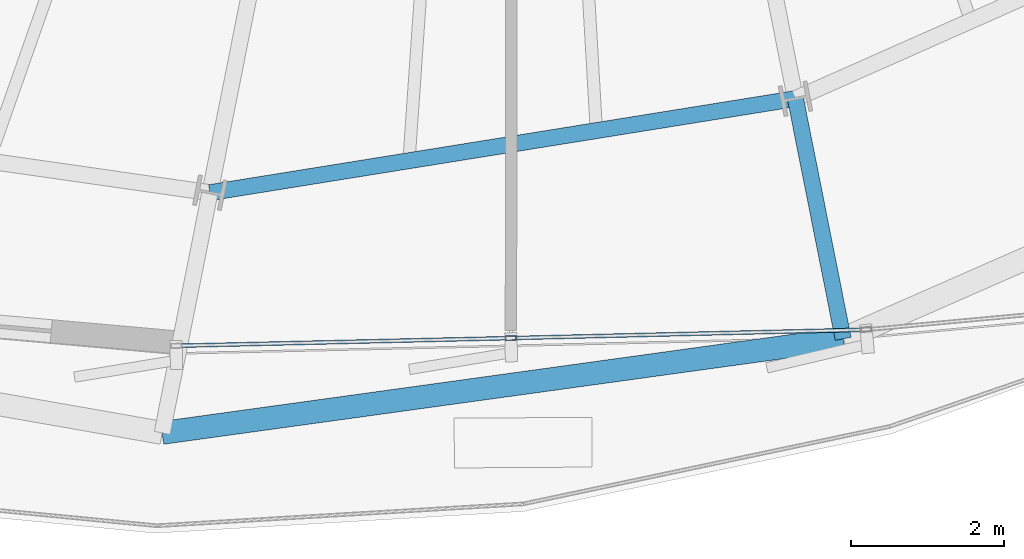
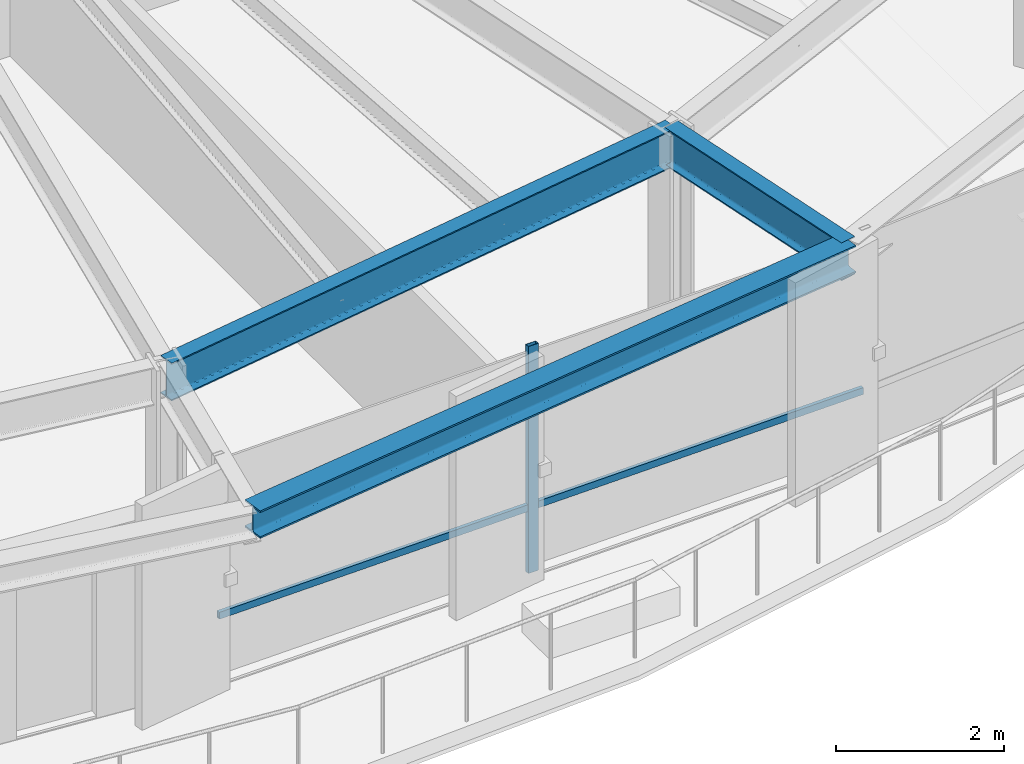
# One storey, part 6 of 37: 3 beams, 3 members, 1 element without a shape of its own.
"""IFC4 building model written with IfcOpenShell, lengths in metres."""

from ifc_helpers import new_model, si_unit, direction, frame, origin, origin_2d, place, context, subcontext, project, spatial, hollow_rectangle, i_section, extrude, source, transform, mapped, material, layer, layer_set, material_profile, profile_set, type_object, element, aggregate, save


model = new_model("IFC4")

# Units and contexts
model_context = context("Model", 3, precision=1e-05, world=origin(), true_north=direction((0.0, 1.0)))
body_context = subcontext(model_context, "Body", "Model", "MODEL_VIEW")
ifc_project = project(units=[si_unit("LENGTHUNIT", "METRE"), si_unit("AREAUNIT", "SQUARE_METRE"), si_unit("VOLUMEUNIT", "CUBIC_METRE"), si_unit("PLANEANGLEUNIT", "RADIAN"), si_unit("MASSUNIT", "GRAM", prefix="KILO"), si_unit("THERMODYNAMICTEMPERATUREUNIT", "KELVIN")], contexts=[model_context])

# Site, building, storey
site_placement = place(None, origin())
site = spatial("IfcSite", under=ifc_project, at=site_placement, CompositionType="ELEMENT")
building_placement = place(site_placement, origin())
building = spatial("IfcBuilding", under=site, at=building_placement, Name="Kethvar Cultural Tower", CompositionType="ELEMENT")
storey_placement = place(building_placement, frame((0.0, 0.0, 132.35009765625)))
storey = spatial("IfcBuildingStorey", under=building, at=storey_placement, Name="L33", CompositionType="ELEMENT", Elevation=132.35009765625)

# Beams
ifc_material_1 = material(Name="Steel S355J2", Category="steel")
ifc_material_profile_1 = material_profile(ifc_material_1, i_section(OverallWidth=0.2099609375, OverallDepth=0.550048828125, WebThickness=0.010986328125, FlangeThickness=0.01708984375, FilletRadius=0.02392578125, at=origin_2d()), Name="Steel S355J2 — IPE550")
ifc_profile_set_1 = profile_set([ifc_material_profile_1], Name="Steel S355J2 — IPE550")
beam_type_1 = type_object("IfcBeamType", Name="BM-IPE550", PredefinedType="BEAM", material=ifc_profile_set_1)
shared_shape_1 = source(origin(), body_context, "Body", "SweptSolid", [
    extrude(i_section(OverallWidth=0.2099609375, OverallDepth=0.550048828125, WebThickness=0.010986328125, FlangeThickness=0.01708984375, FilletRadius=0.02392578125, at=origin_2d()), origin(), (0.0, 0.0, 1.0), 3.2001953125),
])
beam_1_placement = place(storey_placement, frame((50.50341796875, 9.182373046875, 3.02294921875), z_axis=(0.195074368086, -0.980788453702, 0.0), x_axis=(0.980788453702, 0.195074368086, 0.0)))
element("IfcBeam", 1, at=beam_1_placement, inside=storey, type_object=beam_type_1, Name="L33 Perimeter Cantilever Beam RC-13", PredefinedType="BEAM", context=body_context, shape_type="MappedRepresentation", body=[
    mapped(shared_shape_1, transform((0.0, 0.0, 0.0), scale=1.0)),
])
shared_shape_2 = source(origin(), body_context, "Body", "SweptSolid", [
    extrude(i_section(OverallWidth=0.2099609375, OverallDepth=0.550048828125, WebThickness=0.010986328125, FlangeThickness=0.01708984375, FilletRadius=0.02392578125, at=origin_2d()), origin(), (0.0, 0.0, 1.0), 7.749267578125),
])
beam_2_placement = place(storey_placement, frame((42.852294921875, 7.95361328125, 3.02294921875), z_axis=(0.987348257569, 0.158566762831, 0.0), x_axis=(-0.158566762831, 0.987348257569, 0.0)))
element("IfcBeam", 2, at=beam_2_placement, inside=storey, type_object=beam_type_1, Name="L33 Column Ring Tie Beam CR-12", PredefinedType="BEAM", context=body_context, shape_type="MappedRepresentation", body=[
    mapped(shared_shape_2, transform((0.0, 0.0, 0.0), scale=1.0)),
])
ifc_material_profile_2 = material_profile(ifc_material_1, i_section(OverallWidth=0.300048828125, OverallDepth=0.39990234375, WebThickness=0.013427734375, FlangeThickness=0.02392578125, FilletRadius=0.027099609375, at=origin_2d()), Name="Steel S355J2 — HEB400")
ifc_profile_set_2 = profile_set([ifc_material_profile_2], Name="Steel S355J2 — HEB400")
beam_type_2 = type_object("IfcBeamType", Name="BM-SP400", PredefinedType="SPANDREL", material=ifc_profile_set_2)
shared_shape_3 = source(origin(), body_context, "Body", "SweptSolid", [
    extrude(i_section(OverallWidth=0.300048828125, OverallDepth=0.39990234375, WebThickness=0.013427734375, FlangeThickness=0.02392578125, FilletRadius=0.027099609375, at=origin_2d()), origin(), (0.0, 0.0, 1.0), 8.984130859375),
])
beam_3_placement = place(storey_placement, frame((42.22802734375, 4.81494140625, 3.097900390625), z_axis=(0.990602728928, 0.136770733127, 0.0), x_axis=(-0.136770733127, 0.990602728928, 0.0)))
element("IfcBeam", 3, at=beam_3_placement, inside=storey, type_object=beam_type_2, Name="L33 Perimeter Spandrel Beam SP-12", PredefinedType="SPANDREL", context=body_context, shape_type="MappedRepresentation", body=[
    mapped(shared_shape_3, transform((0.0, 0.0, 0.0), scale=1.0)),
])

# Curtain wall, members
ifc_material_2 = material(Name="Aluminium 6063-T6", Category="aluminium")
ifc_layer = layer(ifc_material_2, 0.179931640625, Name="Aluminium 6063-T6", Category="aluminium")
ifc_layer_set = layer_set([ifc_layer], Name="Aluminium 6063-T6 (180 mm)")
curtain_wall_type = type_object("IfcCurtainWallType", Name="CW-SYS-04-Z34", PredefinedType="NOTDEFINED", material=ifc_layer_set)
curtain_wall_placement = place(storey_placement, origin())
curtain_wall = element("IfcCurtainWall", 4, at=curtain_wall_placement, inside=storey, type_object=curtain_wall_type, Name="L33 Curtain Wall Run 05", PredefinedType="NOTDEFINED")
ifc_material_profile_3 = material_profile(ifc_material_2, hollow_rectangle(XDim=0.06005859375, YDim=0.139892578125, WallThickness=0.0048828125, at=origin_2d()), Name="Aluminium 6063-T6 — RHS140x60x5")
ifc_profile_set_3 = profile_set([ifc_material_profile_3], Name="Aluminium 6063-T6 — RHS140x60x5")
member_type_1 = type_object("IfcMemberType", Name="CW-SYS-04-Z34-MUL", PredefinedType="MULLION", material=ifc_profile_set_3)
shared_shape_4 = source(origin(), body_context, "Body", "SweptSolid", [
    extrude(hollow_rectangle(XDim=0.06005859375, YDim=0.139892578125, WallThickness=0.0048828125, at=origin_2d()), origin(), (0.0, 0.0, 1.0), 3.2998046875),
])
member_1_placement = place(storey_placement, frame((46.785888671875, 6.053466796875, 0.0), z_axis=(0.0, 0.0, 1.0), x_axis=(-0.023699352188, 0.999719130909, 0.0)))
member_1 = element("IfcMember", 5, at=member_1_placement, type_object=member_type_1, Name="CW-L33-R05 Mullion 2", PredefinedType="MULLION", context=body_context, shape_type="MappedRepresentation", body=[
    mapped(shared_shape_4, transform((0.0, 0.0, 0.0), scale=1.0)),
])
ifc_material_profile_4 = material_profile(ifc_material_2, hollow_rectangle(XDim=0.050048828125, YDim=0.10009765625, WallThickness=0.00390625, at=origin_2d()), Name="Aluminium 6063-T6 — RHS100x50x4")
ifc_profile_set_4 = profile_set([ifc_material_profile_4], Name="Aluminium 6063-T6 — RHS100x50x4")
member_type_2 = type_object("IfcMemberType", Name="CW-SYS-04-Z34-TRN", PredefinedType="USERDEFINED", material=ifc_profile_set_4)
shared_shape_5 = source(origin(), body_context, "Body", "SweptSolid", [
    extrude(hollow_rectangle(XDim=0.050048828125, YDim=0.10009765625, WallThickness=0.00390625, at=origin_2d()), origin(), (0.0, 0.0, 1.0), 4.32958984375),
])
member_2_placement = place(storey_placement, frame((42.41455078125, 5.952880859375, 0.949951171875), z_axis=(0.999735302775, 0.023007050794, 0.0), x_axis=(-0.023007050794, 0.999735302775, 0.0)))
member_2 = element("IfcMember", 6, at=member_2_placement, type_object=member_type_2, Name="CW-L33-R05 Transom 1", ObjectType="TRANSOM", PredefinedType="USERDEFINED", context=body_context, shape_type="MappedRepresentation", body=[
    mapped(shared_shape_5, transform((0.0, 0.0, 0.0), scale=1.0)),
])
shared_shape_6 = source(origin(), body_context, "Body", "SweptSolid", [
    extrude(hollow_rectangle(XDim=0.050048828125, YDim=0.10009765625, WallThickness=0.00390625, at=origin_2d()), origin(), (0.0, 0.0, 1.0), 4.563232421875),
])
member_3_placement = place(storey_placement, frame((46.8291015625, 6.054443359375, 0.949951171875), z_axis=(0.999719093529, 0.023700928954, 0.0), x_axis=(-0.023700928954, 0.999719093529, 0.0)))
member_3 = element("IfcMember", 7, at=member_3_placement, type_object=member_type_2, Name="CW-L33-R05 Transom 2", ObjectType="TRANSOM", PredefinedType="USERDEFINED", context=body_context, shape_type="MappedRepresentation", body=[
    mapped(shared_shape_6, transform((0.0, 0.0, 0.0), scale=1.0)),
])
aggregate(curtain_wall, [member_1, member_2, member_3])

save(model, "model.ifc")
